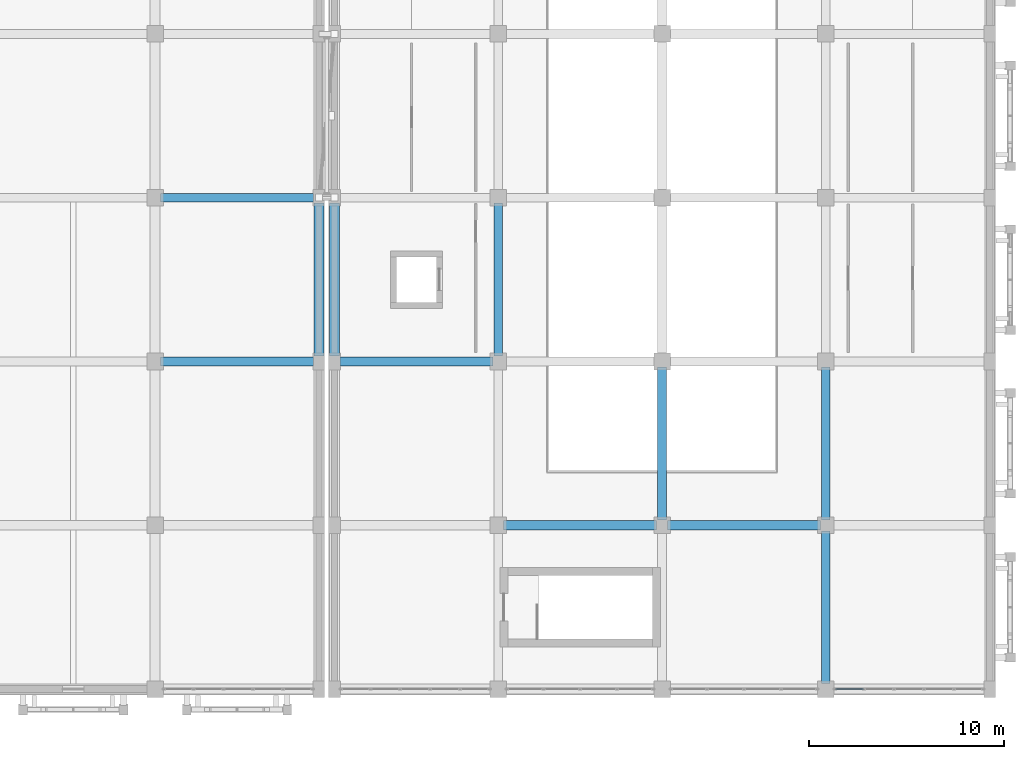
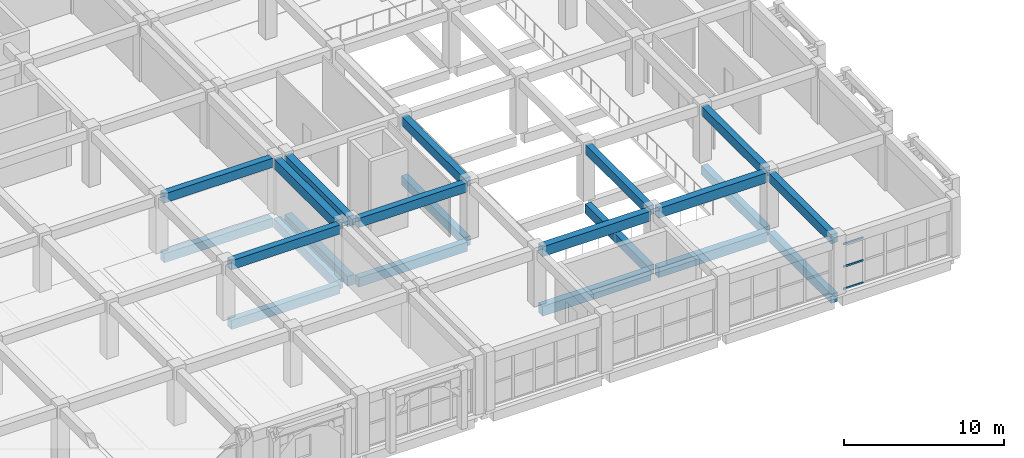
# One storey, part 29 of 129: 22 beams, 3 members, 1 element without a shape of its own.
"""IFC4 building model written with IfcOpenShell, lengths in metres."""

from ifc_helpers import new_model, si_unit, direction, frame, origin, origin_2d, place, context, subcontext, project, spatial, rectangle, hollow_rectangle, extrude, material, layer, layer_set, material_profile, profile_set, type_object, element, aggregate, save


model = new_model("IFC4")

# Units and contexts
model_context = context("Model", 3, precision=1e-05, world=origin(), true_north=direction((0.0, 1.0)))
body_context = subcontext(model_context, "Body", "Model", "MODEL_VIEW")
ifc_project = project(units=[si_unit("LENGTHUNIT", "METRE"), si_unit("AREAUNIT", "SQUARE_METRE"), si_unit("VOLUMEUNIT", "CUBIC_METRE"), si_unit("PLANEANGLEUNIT", "RADIAN"), si_unit("MASSUNIT", "GRAM", prefix="KILO")], contexts=[model_context])

# Site, building, storey
site_placement = place(None, origin())
site = spatial("IfcSite", under=ifc_project, at=site_placement, CompositionType="ELEMENT")
building_placement = place(site_placement, origin())
building = spatial("IfcBuilding", under=site, at=building_placement, Name="Xazarin Passage Department Store", CompositionType="ELEMENT")
storey_placement = place(building_placement, frame((0.0, 0.0, 9.89990234375)))
storey = spatial("IfcBuildingStorey", under=building, at=storey_placement, Name="L02", CompositionType="ELEMENT", Elevation=9.89990234375)

# Curtain wall, members
ifc_material_1 = material(Name="Bronze anodised aluminium", Category="aluminium")
ifc_layer = layer(ifc_material_1, 0.159912109375)
ifc_layer_set = layer_set([ifc_layer], Name="Bronze anodised aluminium")
curtain_wall_type = type_object("IfcCurtainWallType", Name="ARC-CW-ARC1", PredefinedType="NOTDEFINED", material=ifc_layer_set)
curtain_wall_placement = place(storey_placement, origin())
curtain_wall = element("IfcCurtainWall", 1, at=curtain_wall_placement, inside=storey, type_object=curtain_wall_type, Name="L02 V2S Curtain Wall 107", PredefinedType="NOTDEFINED")
ifc_material_profile_1 = material_profile(ifc_material_1, hollow_rectangle(XDim=0.06494140625, YDim=0.139892578125, WallThickness=0.00390625, at=origin_2d()), Name="ALU 65x140")
ifc_profile_set_1 = profile_set([ifc_material_profile_1], Name="Bronze anodised aluminium")
member_type = type_object("IfcMemberType", Name="ARC-CWT-65x140", PredefinedType="USERDEFINED", material=ifc_profile_set_1)
member_1_placement = place(storey_placement, frame((93.68994140625, 0.0, 0.03271484375), z_axis=(1.0, 0.0, 0.0), x_axis=(0.0, 1.0, 0.0)))
member_1 = element("IfcMember", 2, at=member_1_placement, type_object=member_type, Name="CW3 transom 1.1", ObjectType="TRANSOM", PredefinedType="USERDEFINED", context=body_context, shape_type="SweptSolid", body=[
    extrude(hollow_rectangle(XDim=0.06494140625, YDim=0.139892578125, WallThickness=0.00390625, at=origin_2d()), origin(), (0.0, 0.0, 1.0), 1.4375),
])
member_2_placement = place(storey_placement, frame((93.68994140625, 0.0, 1.7451171875), z_axis=(1.0, 0.0, 0.0), x_axis=(0.0, 1.0, 0.0)))
member_2 = element("IfcMember", 3, at=member_2_placement, type_object=member_type, Name="CW3 transom 1.2", ObjectType="TRANSOM", PredefinedType="USERDEFINED", context=body_context, shape_type="SweptSolid", body=[
    extrude(hollow_rectangle(XDim=0.06494140625, YDim=0.139892578125, WallThickness=0.00390625, at=origin_2d()), origin(), (0.0, 0.0, 1.0), 1.4375),
])
member_3_placement = place(storey_placement, frame((93.68994140625, 0.0, 3.45751953125), z_axis=(1.0, 0.0, 0.0), x_axis=(0.0, 1.0, 0.0)))
member_3 = element("IfcMember", 4, at=member_3_placement, type_object=member_type, Name="CW3 transom 1.3", ObjectType="TRANSOM", PredefinedType="USERDEFINED", context=body_context, shape_type="SweptSolid", body=[
    extrude(hollow_rectangle(XDim=0.06494140625, YDim=0.139892578125, WallThickness=0.00390625, at=origin_2d()), origin(), (0.0, 0.0, 1.0), 1.4375),
])
aggregate(curtain_wall, [member_1, member_2, member_3])

# Beams
ifc_material_2 = material(Name="Concrete C35/45", Category="concrete")
ifc_material_profile_2 = material_profile(ifc_material_2, rectangle(XDim=0.449951171875, YDim=0.699951171875, at=origin_2d()), Name="RC 450x700")
ifc_profile_set_2 = profile_set([ifc_material_profile_2], Name="Concrete C35/45")
beam_type_1 = type_object("IfcBeamType", Name="STR-BM-G450x700", PredefinedType="BEAM", material=ifc_profile_set_2)
beam_1_placement = place(storey_placement, frame((68.280029296875, 16.800048828125, -0.64990234375), z_axis=(1.0, 0.0, 0.0), x_axis=(0.0, 1.0, 0.0)))
element("IfcBeam", 5, at=beam_1_placement, inside=storey, type_object=beam_type_1, Name="L02 Grid Beam C/10-11", PredefinedType="BEAM", context=body_context, shape_type="SweptSolid", body=[
    extrude(rectangle(XDim=0.449951171875, YDim=0.699951171875, at=origin_2d()), origin(), (0.0, 0.0, 1.0), 7.840087890625),
])
beam_2_placement = place(storey_placement, frame((76.39990234375, 17.080078125, -0.64990234375), z_axis=(0.0, 1.0, 0.0), x_axis=(-1.0, 0.0, 0.0)))
element("IfcBeam", 6, at=beam_2_placement, inside=storey, type_object=beam_type_1, Name="L02 Grid Beam 11/C-D", PredefinedType="BEAM", context=body_context, shape_type="SweptSolid", body=[
    extrude(rectangle(XDim=0.449951171875, YDim=0.699951171875, at=origin_2d()), origin(), (0.0, 0.0, 1.0), 7.83984375),
])
for number, where, z_axis, x_axis, name in (
    (7, (84.800048828125, 8.679931640625, -0.64990234375), (0.0, 1.0, 0.0), (-1.0, 0.0, 0.0), "L02 Grid Beam 12/B-C"),
    (8, (93.199951171875, 0.280029296875, -0.64990234375), (0.0, 1.0, 0.0), (-1.0, 0.0, 0.0), "L02 Grid Beam 13/A-B"),
    (9, (93.199951171875, 8.679931640625, -0.64990234375), (0.0, 1.0, 0.0), (-1.0, 0.0, 0.0), "L02 Grid Beam 13/B-C"),
    (10, (68.280029296875, 16.800048828125, 3.89013671875), (1.0, 0.0, 0.0), (0.0, 1.0, 0.0), "L02 Grid Beam C/10-11"),
):
    element("IfcBeam", number, at=place(storey_placement, frame(where, z_axis=z_axis, x_axis=x_axis)), inside=storey, type_object=beam_type_1, Name=name, PredefinedType="BEAM", context=body_context, shape_type="SweptSolid", body=[
        extrude(rectangle(XDim=0.449951171875, YDim=0.699951171875, at=origin_2d()), origin(), (0.0, 0.0, 1.0), 7.840087890625),
    ])
beam_3_placement = place(storey_placement, frame((76.39990234375, 17.080078125, 3.89013671875), z_axis=(0.0, 1.0, 0.0), x_axis=(-1.0, 0.0, 0.0)))
element("IfcBeam", 11, at=beam_3_placement, inside=storey, type_object=beam_type_1, Name="L02 Grid Beam 11/C-D", PredefinedType="BEAM", context=body_context, shape_type="SweptSolid", body=[
    extrude(rectangle(XDim=0.449951171875, YDim=0.699951171875, at=origin_2d()), origin(), (0.0, 0.0, 1.0), 7.83984375),
])
for number, where, z_axis, x_axis, name in (
    (12, (84.800048828125, 8.679931640625, 3.89013671875), (0.0, 1.0, 0.0), (-1.0, 0.0, 0.0), "L02 Grid Beam 12/B-C"),
    (13, (93.199951171875, 0.280029296875, 3.89013671875), (0.0, 1.0, 0.0), (-1.0, 0.0, 0.0), "L02 Grid Beam 13/A-B"),
    (14, (93.199951171875, 8.679931640625, 3.89013671875), (0.0, 1.0, 0.0), (-1.0, 0.0, 0.0), "L02 Grid Beam 13/B-C"),
):
    element("IfcBeam", number, at=place(storey_placement, frame(where, z_axis=z_axis, x_axis=x_axis)), inside=storey, type_object=beam_type_1, Name=name, PredefinedType="BEAM", context=body_context, shape_type="SweptSolid", body=[
        extrude(rectangle(XDim=0.449951171875, YDim=0.699951171875, at=origin_2d()), origin(), (0.0, 0.0, 1.0), 7.840087890625),
    ])
for number, where, z_axis, x_axis, name in (
    (15, (59.080078125, 16.800048828125, -0.669921875), (1.0, 0.0, 0.0), (0.0, 1.0, 0.0), "L02 Grid Beam C/8-9"),
    (16, (59.080078125, 25.199951171875, -0.669921875), (1.0, 0.0, 0.0), (0.0, 1.0, 0.0), "L02 Grid Beam D/8-9"),
    (17, (59.080078125, 16.800048828125, 3.89013671875), (1.0, 0.0, 0.0), (0.0, 1.0, 0.0), "L02 Grid Beam C/8-9"),
    (18, (59.080078125, 25.199951171875, 3.89013671875), (1.0, 0.0, 0.0), (0.0, 1.0, 0.0), "L02 Grid Beam D/8-9"),
):
    element("IfcBeam", number, at=place(storey_placement, frame(where, z_axis=z_axis, x_axis=x_axis)), inside=storey, type_object=beam_type_1, Name=name, PredefinedType="BEAM", context=body_context, shape_type="SweptSolid", body=[
        extrude(rectangle(XDim=0.449951171875, YDim=0.699951171875, at=origin_2d()), origin(), (0.0, 0.0, 1.0), 7.83984375),
    ])
ifc_material_profile_3 = material_profile(ifc_material_2, rectangle(XDim=0.5, YDim=0.75, at=origin_2d()), Name="RC 500x750")
ifc_profile_set_3 = profile_set([ifc_material_profile_3], Name="Concrete C35/45")
beam_type_2 = type_object("IfcBeamType", Name="STR-BM-SP500x750", PredefinedType="SPANDREL", material=ifc_profile_set_3)
beam_4_placement = place(storey_placement, frame((76.679931640625, 8.39990234375, -0.6748046875), z_axis=(1.0, 0.0, 0.0), x_axis=(0.0, 1.0, 0.0)))
element("IfcBeam", 19, at=beam_4_placement, inside=storey, type_object=beam_type_2, Name="L02 Grid Beam B/11-12", PredefinedType="SPANDREL", context=body_context, shape_type="SweptSolid", body=[
    extrude(rectangle(XDim=0.5, YDim=0.75, at=origin_2d()), origin(), (0.0, 0.0, 1.0), 7.840087890625),
])
for number, where, z_axis, x_axis, name in (
    (20, (85.080078125, 8.39990234375, -0.6748046875), (1.0, 0.0, 0.0), (0.0, 1.0, 0.0), "L02 Grid Beam B/12-13"),
    (21, (68.0, 17.080078125, -0.6748046875), (0.0, 1.0, 0.0), (-1.0, 0.0, 0.0), "L02 Grid Beam 10/C-D"),
):
    element("IfcBeam", number, at=place(storey_placement, frame(where, z_axis=z_axis, x_axis=x_axis)), inside=storey, type_object=beam_type_2, Name=name, PredefinedType="SPANDREL", context=body_context, shape_type="SweptSolid", body=[
        extrude(rectangle(XDim=0.5, YDim=0.75, at=origin_2d()), origin(), (0.0, 0.0, 1.0), 7.83984375),
    ])
beam_5_placement = place(storey_placement, frame((76.679931640625, 8.39990234375, 3.864990234375), z_axis=(1.0, 0.0, 0.0), x_axis=(0.0, 1.0, 0.0)))
element("IfcBeam", 22, at=beam_5_placement, inside=storey, type_object=beam_type_2, Name="L02 Grid Beam B/11-12", PredefinedType="SPANDREL", context=body_context, shape_type="SweptSolid", body=[
    extrude(rectangle(XDim=0.5, YDim=0.75, at=origin_2d()), origin(), (0.0, 0.0, 1.0), 7.840087890625),
])
for number, where, z_axis, x_axis, name in (
    (23, (85.080078125, 8.39990234375, 3.864990234375), (1.0, 0.0, 0.0), (0.0, 1.0, 0.0), "L02 Grid Beam B/12-13"),
    (24, (68.0, 17.080078125, 3.864990234375), (0.0, 1.0, 0.0), (-1.0, 0.0, 0.0), "L02 Grid Beam 10/C-D"),
    (25, (67.199951171875, 17.080078125, -0.69482421875), (0.0, 1.0, 0.0), (-1.0, 0.0, 0.0), "L02 Grid Beam 9/C-D"),
    (26, (67.199951171875, 17.080078125, 3.864990234375), (0.0, 1.0, 0.0), (-1.0, 0.0, 0.0), "L02 Grid Beam 9/C-D"),
):
    element("IfcBeam", number, at=place(storey_placement, frame(where, z_axis=z_axis, x_axis=x_axis)), inside=storey, type_object=beam_type_2, Name=name, PredefinedType="SPANDREL", context=body_context, shape_type="SweptSolid", body=[
        extrude(rectangle(XDim=0.5, YDim=0.75, at=origin_2d()), origin(), (0.0, 0.0, 1.0), 7.83984375),
    ])

save(model, "model.ifc")
